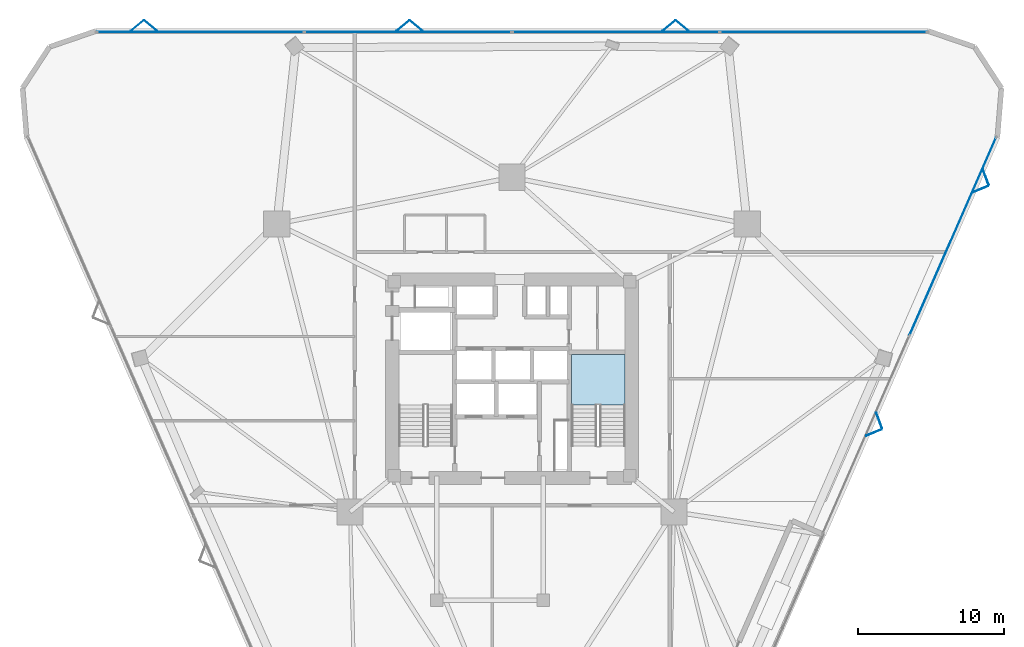
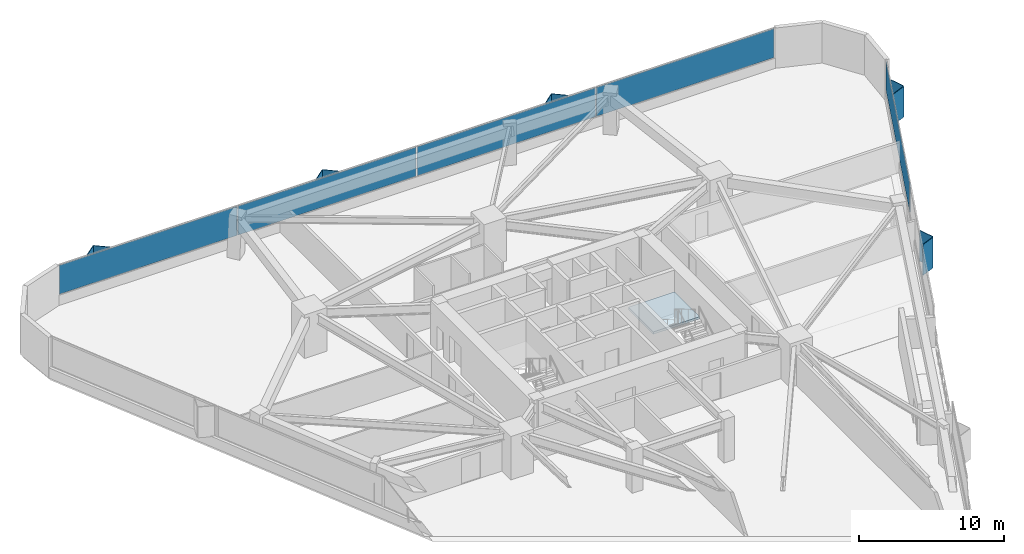
# One storey, part 11 of 16: 15 plates, 1 slab, 3 elements without a shape of their own.
"""IFC4 building model written with IfcOpenShell, lengths in metres."""

from ifc_helpers import new_model, si_unit, direction, frame, origin, origin_2d, place, context, subcontext, project, spatial, polyline, rectangle, outline, extrude, material, layer, layer_set, type_object, element, aggregate, save


model = new_model("IFC4")

# Units and contexts
model_context = context("Model", 3, precision=1e-05, world=origin(), true_north=direction((0.0, 1.0)))
body_context = subcontext(model_context, "Body", "Model", "MODEL_VIEW")
ifc_project = project(units=[si_unit("LENGTHUNIT", "METRE"), si_unit("AREAUNIT", "SQUARE_METRE"), si_unit("VOLUMEUNIT", "CUBIC_METRE"), si_unit("PLANEANGLEUNIT", "RADIAN"), si_unit("MASSUNIT", "GRAM", prefix="KILO")], contexts=[model_context])

# Site, building, storey
site_placement = place(None, origin())
site = spatial("IfcSite", under=ifc_project, at=site_placement, CompositionType="ELEMENT")
building_placement = place(site_placement, origin())
building = spatial("IfcBuilding", under=site, at=building_placement, Name="Talyreon Biosciences Tower", CompositionType="ELEMENT")
storey_placement = place(building_placement, frame((0.0, 0.0, 44.699951171875)))
storey = spatial("IfcBuildingStorey", under=building, at=storey_placement, Name="L11", CompositionType="ELEMENT", Elevation=44.699951171875)

# Curtain wall, plates
ifc_material_1 = material(Name="Thermally broken aluminium and low-E glazing", Category="aluminium")
ifc_layer_1 = layer(ifc_material_1, 0.205078125)
ifc_layer_set_1 = layer_set([ifc_layer_1], Name="Thermally broken aluminium and low-E glazing")
curtain_wall_type = type_object("IfcCurtainWallType", Name="CurtainWall_SkyGardenLoggia", PredefinedType="NOTDEFINED", material=ifc_layer_set_1)
curtain_wall_1_placement = place(storey_placement, origin())
curtain_wall_1 = element("IfcCurtainWall", 1, at=curtain_wall_1_placement, inside=storey, type_object=curtain_wall_type, Name="L11 Unitised Curtain Wall FCW-L11-03", PredefinedType="NOTDEFINED")
ifc_material_2 = material(Name="Acoustic laminated low-E insulated glazing", Category="glass")
ifc_layer_2 = layer(ifc_material_2, 0.0380859375)
ifc_layer_set_2 = layer_set([ifc_layer_2], Name="Acoustic laminated low-E insulated glazing")
plate_type_1 = type_object("IfcPlateType", Name="CWGlazingPanel_38", PredefinedType="CURTAIN_PANEL", material=ifc_layer_set_2)
plate_1_placement = place(storey_placement, frame((44.658203125, 91.74072265625, 0.875), z_axis=(0.0, 0.0, 1.0), x_axis=(1.0, 0.0, 0.0)))
plate_1 = element("IfcPlate", 2, at=plate_1_placement, type_object=plate_type_1, Name="CW7 panel 1.1", PredefinedType="CURTAIN_PANEL", context=body_context, shape_type="SweptSolid", body=[
    extrude(rectangle(XDim=14.1279296875, YDim=0.0380859375, at=origin_2d()), origin(), (0.0, 0.0, 1.0), 2.43505859375),
])
plate_2_placement = place(storey_placement, frame((58.8798828125, 91.74072265625, 0.875), z_axis=(0.0, 0.0, 1.0), x_axis=(1.0, 0.0, 0.0)))
plate_2 = element("IfcPlate", 3, at=plate_2_placement, type_object=plate_type_1, Name="CW7 panel 2.1", PredefinedType="CURTAIN_PANEL", context=body_context, shape_type="SweptSolid", body=[
    extrude(rectangle(XDim=14.165283203125, YDim=0.0380859375, at=origin_2d()), origin(), (0.0, 0.0, 1.0), 2.43505859375),
])
plate_3_placement = place(storey_placement, frame((73.1201171875, 91.74072265625, 0.875), z_axis=(0.0, 0.0, 1.0), x_axis=(1.0, 0.0, 0.0)))
plate_3 = element("IfcPlate", 4, at=plate_3_placement, type_object=plate_type_1, Name="CW7 panel 3.1", PredefinedType="CURTAIN_PANEL", context=body_context, shape_type="SweptSolid", body=[
    extrude(rectangle(XDim=14.165283203125, YDim=0.0380859375, at=origin_2d()), origin(), (0.0, 0.0, 1.0), 2.43505859375),
])
plate_4_placement = place(storey_placement, frame((87.341796875, 91.74072265625, 0.875), z_axis=(0.0, 0.0, 1.0), x_axis=(1.0, 0.0, 0.0)))
plate_4 = element("IfcPlate", 5, at=plate_4_placement, type_object=plate_type_1, Name="CW7 panel 4.1", PredefinedType="CURTAIN_PANEL", context=body_context, shape_type="SweptSolid", body=[
    extrude(rectangle(XDim=14.1279296875, YDim=0.0380859375, at=origin_2d()), origin(), (0.0, 0.0, 1.0), 2.43505859375),
])
aggregate(curtain_wall_1, [plate_1, plate_2, plate_3, plate_4])

# Curtain wall, plate
curtain_wall_2_placement = place(storey_placement, origin())
curtain_wall_2 = element("IfcCurtainWall", 6, at=curtain_wall_2_placement, inside=storey, type_object=curtain_wall_type, Name="L11 Unitised Curtain Wall FCW-L11-07", PredefinedType="NOTDEFINED")
plate_5_placement = place(storey_placement, frame((96.184814453125, 77.74755859375, 0.875), z_axis=(0.0, 0.0, 1.0), x_axis=(-0.401098211105, -0.91603505667, 0.0)))
plate_5 = element("IfcPlate", 7, at=plate_5_placement, type_object=plate_type_1, Name="CW7 panel 1.1", PredefinedType="CURTAIN_PANEL", context=body_context, shape_type="SweptSolid", body=[
    extrude(rectangle(XDim=14.7392578125, YDim=0.0380859375, at=origin_2d()), origin(), (0.0, 0.0, 1.0), 2.43505859375),
])
aggregate(curtain_wall_2, [plate_5])

# Plates
ifc_material_3 = material(Name="Ivory GFRC sunshade panel", Category="concrete")
ifc_layer_3 = layer(ifc_material_3, 0.044921875)
ifc_layer_set_3 = layer_set([ifc_layer_3], Name="Ivory GFRC sunshade panel")
plate_type_2 = type_object("IfcPlateType", Name="FoldedVSunshade_NorthFace_SUNSHADE", PredefinedType="USERDEFINED", material=ifc_layer_set_3)
for number, where, z_axis, x_axis, name in (
    (8, (40.339111328125, 92.1806640625, 0.7900390625), (0.0, 0.0, 1.0), (0.771624583388, 0.636078220278, 0.0), "L11 Folded V-Sunshade Panel 03.01L"),
    (9, (41.2392578125, 92.1806640625, 0.7900390625), (0.0, 0.0, 1.0), (0.771624583388, -0.636078220278, 0.0), "L11 Folded V-Sunshade Panel 03.01R"),
    (10, (58.539306640625, 92.1806640625, 0.7900390625), (0.0, 0.0, 1.0), (0.771624583388, 0.636078220278, 0.0), "L11 Folded V-Sunshade Panel 03.02L"),
    (11, (59.439208984375, 92.1806640625, 0.7900390625), (0.0, 0.0, 1.0), (0.771624583388, -0.636078220278, 0.0), "L11 Folded V-Sunshade Panel 03.02R"),
    (12, (76.7392578125, 92.1806640625, 0.7900390625), (0.0, 0.0, 1.0), (0.771624583388, 0.636078220278, 0.0), "L11 Folded V-Sunshade Panel 03.03L"),
    (13, (77.63916015625, 92.1806640625, 0.7900390625), (0.0, 0.0, 1.0), (0.771624583388, -0.636078220278, 0.0), "L11 Folded V-Sunshade Panel 03.03R"),
):
    element("IfcPlate", number, at=place(storey_placement, frame(where, z_axis=z_axis, x_axis=x_axis)), inside=storey, type_object=plate_type_2, Name=name, ObjectType="SUNSHADE", PredefinedType="USERDEFINED", context=body_context, shape_type="SweptSolid", body=[
        extrude(rectangle(XDim=1.14990234375, YDim=0.044921875, at=origin_2d()), origin(), (0.0, 0.0, 1.0), 2.5849609375),
    ])
ifc_layer_4 = layer(ifc_material_3, 0.044921875)
ifc_layer_set_4 = layer_set([ifc_layer_4], Name="Ivory GFRC sunshade panel")
plate_type_3 = type_object("IfcPlateType", Name="FoldedVSunshade_SunFace_SUNSHADE", PredefinedType="USERDEFINED", material=ifc_layer_set_4)
for number, where, z_axis, x_axis, name in (
    (14, (98.44287109375, 81.807373046875, 0.7900390625), (0.0, 0.0, 1.0), (0.347803073264, -0.937567609417, 0.0), "L11 Folded V-Sunshade Panel 07.01L"),
    (15, (98.081787109375, 80.98291015625, 0.7900390625), (0.0, 0.0, 1.0), (-0.924858316353, -0.380311838723, 0.0), "L11 Folded V-Sunshade Panel 07.01R"),
    (16, (91.142822265625, 65.135498046875, 0.7900390625), (0.0, 0.0, 1.0), (0.347803073264, -0.937567609417, 0.0), "L11 Folded V-Sunshade Panel 07.02L"),
    (17, (90.78173828125, 64.31103515625, 0.7900390625), (0.0, 0.0, 1.0), (-0.924858316353, -0.380311838723, 0.0), "L11 Folded V-Sunshade Panel 07.02R"),
):
    element("IfcPlate", number, at=place(storey_placement, frame(where, z_axis=z_axis, x_axis=x_axis)), inside=storey, type_object=plate_type_3, Name=name, ObjectType="SUNSHADE", PredefinedType="USERDEFINED", context=body_context, shape_type="SweptSolid", body=[
        extrude(rectangle(XDim=1.14990234375, YDim=0.044921875, at=origin_2d()), origin(), (0.0, 0.0, 1.0), 2.5849609375),
    ])

# Stair, slab
ifc_material_4 = material(Name="Concrete C40/50", Category="concrete")
stair_type = type_object("IfcStairType", Name="DoglegEscapeStair_3650", PredefinedType="HALF_TURN_STAIR", material=ifc_material_4)
stair_placement = place(storey_placement, origin())
stair = element("IfcStair", 18, at=stair_placement, inside=storey, type_object=stair_type, Name="L11 Core Escape Stair 2", PredefinedType="HALF_TURN_STAIR")
ifc_layer_5 = layer(ifc_material_4, 0.199951171875)
ifc_layer_set_5 = layer_set([ifc_layer_5], Name="Concrete C40/50")
slab_type = type_object("IfcSlabType", Name="StairLandingSlab_200", PredefinedType="LANDING", material=ifc_layer_set_5)
slab_placement = place(storey_placement, frame((0.0, 0.0, 1.625)))
slab = element("IfcSlab", 19, at=slab_placement, type_object=slab_type, Name="ST-2 landing 1", PredefinedType="LANDING", context=body_context, shape_type="SweptSolid", body=[
    extrude(outline(polyline([(73.75, 66.199951171875), (73.75, 69.64990234375), (70.070068359375, 69.64990234375), (70.070068359375, 66.199951171875), (73.75, 66.199951171875)])), origin(), (0.0, 0.0, 1.0), 0.199951171875),
])
aggregate(stair, [slab])

save(model, "model.ifc")
